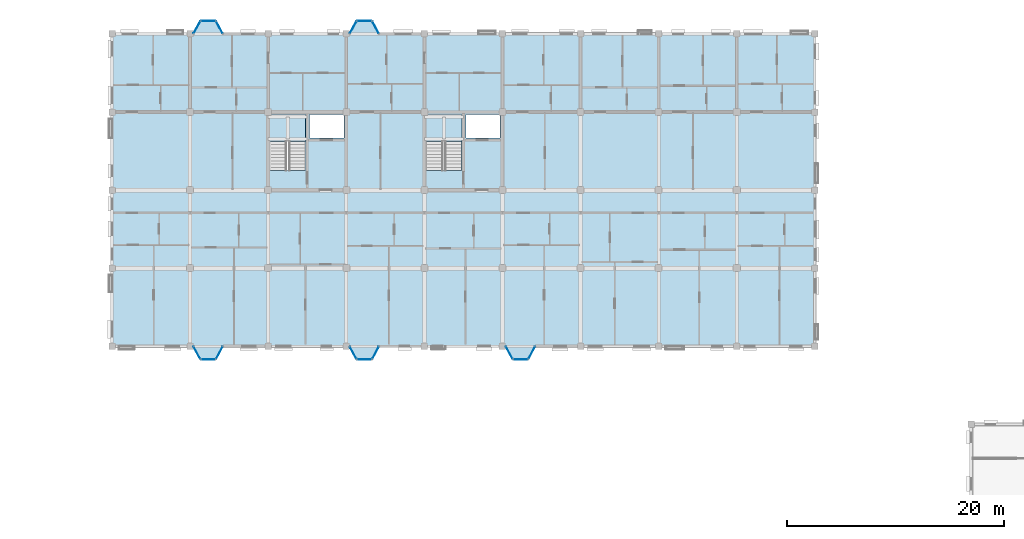
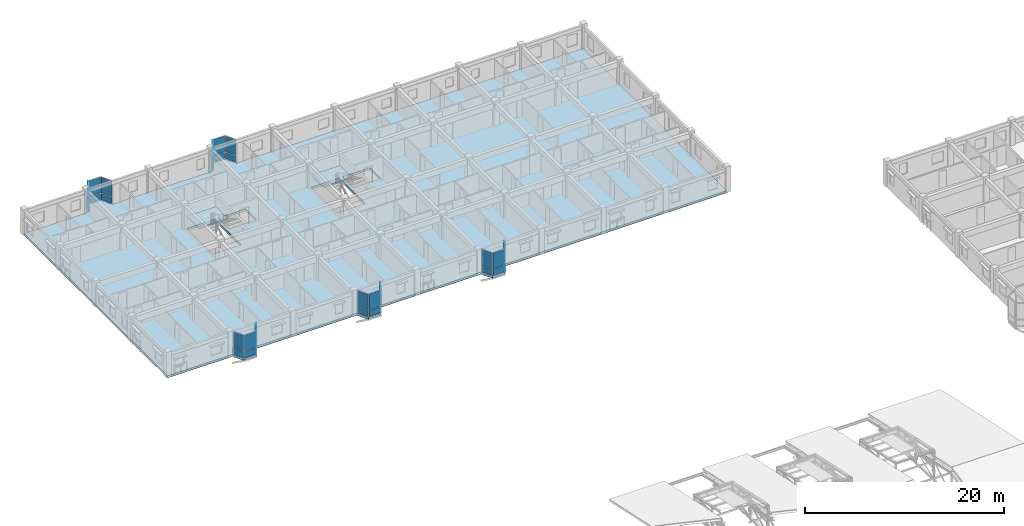
# One storey, part 83 of 124: 30 plates, 3 slabs, 17 elements without a shape of their own.
"""IFC4 building model written with IfcOpenShell, lengths in metres."""

from ifc_helpers import new_model, si_unit, direction, frame, origin, origin_2d, place, context, subcontext, project, spatial, polyline, rectangle, outline, extrude, material, layer, layer_set, type_object, element, aggregate, save


model = new_model("IFC4")

# Units and contexts
model_context = context("Model", 3, precision=1e-05, world=origin(), true_north=direction((0.0, 1.0)))
body_context = subcontext(model_context, "Body", "Model", "MODEL_VIEW")
ifc_project = project(units=[si_unit("LENGTHUNIT", "METRE"), si_unit("AREAUNIT", "SQUARE_METRE"), si_unit("VOLUMEUNIT", "CUBIC_METRE"), si_unit("PLANEANGLEUNIT", "RADIAN"), si_unit("MASSUNIT", "GRAM", prefix="KILO"), si_unit("THERMODYNAMICTEMPERATUREUNIT", "KELVIN"), si_unit("POWERUNIT", "WATT")], contexts=[model_context])

# Site, building, storey
site_placement = place(None, origin())
site = spatial("IfcSite", under=ifc_project, at=site_placement, CompositionType="ELEMENT")
building_placement = place(site_placement, origin())
building = spatial("IfcBuilding", under=site, at=building_placement, Name="Tavuni Mirador Residences", CompositionType="ELEMENT")
storey_placement = place(building_placement, frame((0.0, 0.0, 7.64990234375)))
storey = spatial("IfcBuildingStorey", under=building, at=storey_placement, Name="L02", CompositionType="ELEMENT", Elevation=7.64990234375)

# Curtain wall, plate
ifc_material_1 = material(Name="Anodised aluminium", Category="aluminium")
ifc_layer_1 = layer(ifc_material_1, 0.1650390625, Name="Anodised aluminium", Category="aluminium")
ifc_layer_set_1 = layer_set([ifc_layer_1], Name="Anodised aluminium")
curtain_wall_type_1 = type_object("IfcCurtainWallType", Name="CWT-MIR-A", PredefinedType="NOTDEFINED", material=ifc_layer_set_1)
curtain_wall_1_placement = place(storey_placement, origin())
curtain_wall_1 = element("IfcCurtainWall", 1, at=curtain_wall_1_placement, inside=storey, type_object=curtain_wall_type_1, Name="CW-MIR-C-S1-L02-M1", PredefinedType="NOTDEFINED")
ifc_material_2 = material(Name="Laminated solar-control glass", Category="glass")
ifc_layer_2 = layer(ifc_material_2, 0.02392578125, Name="Laminated solar-control glass", Category="glass")
ifc_layer_set_2 = layer_set([ifc_layer_2], Name="Laminated solar-control glass")
plate_type_1 = type_object("IfcPlateType", Name="CWP-GL24", PredefinedType="CURTAIN_PANEL", material=ifc_layer_set_2)
plate_1_placement = place(storey_placement, frame((18.6298828125, 143.39990234375, 0.8798828125), z_axis=(0.0, 0.0, 1.0), x_axis=(0.481918749773, -0.876215908676, 0.0)))
plate_1 = element("IfcPlate", 2, at=plate_1_placement, type_object=plate_type_1, Name="CW-01 panel 1.2", PredefinedType="CURTAIN_PANEL", context=body_context, shape_type="SweptSolid", body=[
    extrude(rectangle(XDim=1.24951171875, YDim=0.02392578125, at=origin_2d()), origin(), (0.0, 0.0, 1.0), 1.945068359375),
])

curtain_wall_2_placement = place(storey_placement, origin())
curtain_wall_2 = element("IfcCurtainWall", 3, at=curtain_wall_2_placement, inside=storey, type_object=curtain_wall_type_1, Name="CW-MIR-C-S2-L02-MF", PredefinedType="NOTDEFINED")
plate_2_placement = place(storey_placement, frame((34.070068359375, 142.800048828125, 0.8798828125), z_axis=(0.0, 0.0, 1.0), x_axis=(1.0, 0.0, 0.0)))
plate_2 = element("IfcPlate", 4, at=plate_2_placement, type_object=plate_type_1, Name="CW-01 panel 1.2", PredefinedType="CURTAIN_PANEL", context=body_context, shape_type="SweptSolid", body=[
    extrude(rectangle(XDim=1.300048828125, YDim=0.02392578125, at=origin_2d()), origin(), (0.0, 0.0, 1.0), 1.945068359375),
])

curtain_wall_3_placement = place(storey_placement, origin())
curtain_wall_3 = element("IfcCurtainWall", 5, at=curtain_wall_3_placement, inside=storey, type_object=curtain_wall_type_1, Name="CW-MIR-C-S3-L02-M2", PredefinedType="NOTDEFINED")
plate_3_placement = place(storey_placement, frame((49.5, 143.39990234375, 0.8798828125), z_axis=(0.0, 0.0, 1.0), x_axis=(0.470588235296, 0.882352941175, 0.0)))
plate_3 = element("IfcPlate", 6, at=plate_3_placement, type_object=plate_type_1, Name="CW-01 panel 1.2", PredefinedType="CURTAIN_PANEL", context=body_context, shape_type="SweptSolid", body=[
    extrude(rectangle(XDim=1.239990234375, YDim=0.02392578125, at=origin_2d()), origin(), (0.0, 0.0, 1.0), 1.945068359375),
])

curtain_wall_4_placement = place(storey_placement, origin())
curtain_wall_4 = element("IfcCurtainWall", 7, at=curtain_wall_4_placement, inside=storey, type_object=curtain_wall_type_1, Name="CW-MIR-C-N1-L02-M1", PredefinedType="NOTDEFINED")
plate_4_placement = place(storey_placement, frame((20.699951171875, 173.39990234375, 0.8798828125), z_axis=(0.0, 0.0, 1.0), x_axis=(-0.470588235296, 0.882352941175, 0.0)))
plate_4 = element("IfcPlate", 8, at=plate_4_placement, type_object=plate_type_1, Name="CW-01 panel 1.2", PredefinedType="CURTAIN_PANEL", context=body_context, shape_type="SweptSolid", body=[
    extrude(rectangle(XDim=1.239990234375, YDim=0.02392578125, at=origin_2d()), origin(), (0.0, 0.0, 1.0), 1.945068359375),
])

ifc_layer_3 = layer(ifc_material_1, 0.14990234375, Name="Anodised aluminium", Category="aluminium")
ifc_layer_set_3 = layer_set([ifc_layer_3], Name="Anodised aluminium")
curtain_wall_type_2 = type_object("IfcCurtainWallType", Name="CWT-MIR-B", PredefinedType="NOTDEFINED", material=ifc_layer_set_3)
curtain_wall_5_placement = place(storey_placement, origin())
curtain_wall_5 = element("IfcCurtainWall", 9, at=curtain_wall_5_placement, inside=storey, type_object=curtain_wall_type_2, Name="CW-MIR-C-S1-L02-MF", PredefinedType="NOTDEFINED")
ifc_layer_4 = layer(ifc_material_2, 0.028076171875, Name="Laminated solar-control glass", Category="glass")
ifc_layer_set_4 = layer_set([ifc_layer_4], Name="Laminated solar-control glass")
plate_type_2 = type_object("IfcPlateType", Name="CWP-GL28", PredefinedType="CURTAIN_PANEL", material=ifc_layer_set_4)
plate_5_placement = place(storey_placement, frame((19.669921875, 142.800048828125, 0.882568359375), z_axis=(0.0, 0.0, 1.0), x_axis=(1.0, 0.0, 0.0)))
plate_5 = element("IfcPlate", 10, at=plate_5_placement, type_object=plate_type_2, Name="CW-02 panel 1.2", PredefinedType="CURTAIN_PANEL", context=body_context, shape_type="SweptSolid", body=[
    extrude(rectangle(XDim=1.2900390625, YDim=0.028076171875, at=origin_2d()), origin(), (0.0, 0.0, 1.0), 1.9375),
])

curtain_wall_6_placement = place(storey_placement, origin())
curtain_wall_6 = element("IfcCurtainWall", 11, at=curtain_wall_6_placement, inside=storey, type_object=curtain_wall_type_2, Name="CW-MIR-C-S2-L02-M2", PredefinedType="NOTDEFINED")
plate_6_placement = place(storey_placement, frame((35.10009765625, 143.39990234375, 0.882568359375), z_axis=(0.0, 0.0, 1.0), x_axis=(0.470588235296, 0.882352941175, 0.0)))
plate_6 = element("IfcPlate", 12, at=plate_6_placement, type_object=plate_type_2, Name="CW-02 panel 1.2", PredefinedType="CURTAIN_PANEL", context=body_context, shape_type="SweptSolid", body=[
    extrude(rectangle(XDim=1.22998046875, YDim=0.028076171875, at=origin_2d()), origin(), (0.0, 0.0, 1.0), 1.9375),
])

curtain_wall_7_placement = place(storey_placement, origin())
curtain_wall_7 = element("IfcCurtainWall", 13, at=curtain_wall_7_placement, inside=storey, type_object=curtain_wall_type_2, Name="CW-MIR-C-N2-L02-M1", PredefinedType="NOTDEFINED")
plate_7_placement = place(storey_placement, frame((35.10009765625, 173.39990234375, 0.882568359375), z_axis=(0.0, 0.0, 1.0), x_axis=(-0.470588235296, 0.882352941175, 0.0)))
plate_7 = element("IfcPlate", 14, at=plate_7_placement, type_object=plate_type_2, Name="CW-02 panel 1.2", PredefinedType="CURTAIN_PANEL", context=body_context, shape_type="SweptSolid", body=[
    extrude(rectangle(XDim=1.22998046875, YDim=0.028076171875, at=origin_2d()), origin(), (0.0, 0.0, 1.0), 1.9375),
])

curtain_wall_8_placement = place(storey_placement, origin())
curtain_wall_8 = element("IfcCurtainWall", 15, at=curtain_wall_8_placement, inside=storey, type_object=curtain_wall_type_2, Name="CW-MIR-C-N1-L02-MF", PredefinedType="NOTDEFINED")
plate_8_placement = place(storey_placement, frame((19.669921875, 174.0, 0.882568359375), z_axis=(0.0, 0.0, 1.0), x_axis=(-1.0, 0.0, 0.0)))
plate_8 = element("IfcPlate", 16, at=plate_8_placement, type_object=plate_type_2, Name="CW-02 panel 1.2", PredefinedType="CURTAIN_PANEL", context=body_context, shape_type="SweptSolid", body=[
    extrude(rectangle(XDim=1.2900390625, YDim=0.028076171875, at=origin_2d()), origin(), (0.0, 0.0, 1.0), 1.9375),
])

ifc_layer_5 = layer(ifc_material_1, 0.175048828125, Name="Anodised aluminium", Category="aluminium")
ifc_layer_set_5 = layer_set([ifc_layer_5], Name="Anodised aluminium")
curtain_wall_type_3 = type_object("IfcCurtainWallType", Name="CWT-MIR-C", PredefinedType="NOTDEFINED", material=ifc_layer_set_5)
curtain_wall_9_placement = place(storey_placement, origin())
curtain_wall_9 = element("IfcCurtainWall", 17, at=curtain_wall_9_placement, inside=storey, type_object=curtain_wall_type_3, Name="CW-MIR-C-S1-L02-M2", PredefinedType="NOTDEFINED")
ifc_layer_6 = layer(ifc_material_2, 0.031982421875, Name="Laminated solar-control glass", Category="glass")
ifc_layer_set_6 = layer_set([ifc_layer_6], Name="Laminated solar-control glass")
plate_type_3 = type_object("IfcPlateType", Name="CWP-GL32", PredefinedType="CURTAIN_PANEL", material=ifc_layer_set_6)
plate_9_placement = place(storey_placement, frame((20.699951171875, 143.39990234375, 0.8798828125), z_axis=(0.0, 0.0, 1.0), x_axis=(0.470588235296, 0.882352941175, 0.0)))
plate_9 = element("IfcPlate", 18, at=plate_9_placement, type_object=plate_type_3, Name="CW-03 panel 1.2", PredefinedType="CURTAIN_PANEL", context=body_context, shape_type="SweptSolid", body=[
    extrude(rectangle(XDim=1.239990234375, YDim=0.031982421875, at=origin_2d()), origin(), (0.0, 0.0, 1.0), 1.945068359375),
])

curtain_wall_10_placement = place(storey_placement, origin())
curtain_wall_10 = element("IfcCurtainWall", 19, at=curtain_wall_10_placement, inside=storey, type_object=curtain_wall_type_3, Name="CW-MIR-C-S3-L02-M1", PredefinedType="NOTDEFINED")
plate_10_placement = place(storey_placement, frame((47.429931640625, 143.39990234375, 0.8798828125), z_axis=(0.0, 0.0, 1.0), x_axis=(0.481918749773, -0.876215908676, 0.0)))
plate_10 = element("IfcPlate", 20, at=plate_10_placement, type_object=plate_type_3, Name="CW-03 panel 1.2", PredefinedType="CURTAIN_PANEL", context=body_context, shape_type="SweptSolid", body=[
    extrude(rectangle(XDim=1.24951171875, YDim=0.031982421875, at=origin_2d()), origin(), (0.0, 0.0, 1.0), 1.945068359375),
])

curtain_wall_11_placement = place(storey_placement, origin())
curtain_wall_11 = element("IfcCurtainWall", 21, at=curtain_wall_11_placement, inside=storey, type_object=curtain_wall_type_3, Name="CW-MIR-C-N2-L02-MF", PredefinedType="NOTDEFINED")
plate_11_placement = place(storey_placement, frame((34.070068359375, 174.0, 0.8798828125), z_axis=(0.0, 0.0, 1.0), x_axis=(-1.0, 0.0, 0.0)))
plate_11 = element("IfcPlate", 22, at=plate_11_placement, type_object=plate_type_3, Name="CW-03 panel 1.2", PredefinedType="CURTAIN_PANEL", context=body_context, shape_type="SweptSolid", body=[
    extrude(rectangle(XDim=1.300048828125, YDim=0.031982421875, at=origin_2d()), origin(), (0.0, 0.0, 1.0), 1.945068359375),
])

curtain_wall_12_placement = place(storey_placement, origin())
curtain_wall_12 = element("IfcCurtainWall", 23, at=curtain_wall_12_placement, inside=storey, type_object=curtain_wall_type_3, Name="CW-MIR-C-N1-L02-M2", PredefinedType="NOTDEFINED")
plate_12_placement = place(storey_placement, frame((18.6298828125, 173.39990234375, 0.8798828125), z_axis=(0.0, 0.0, 1.0), x_axis=(-0.481918749773, -0.876215908676, 0.0)))
plate_12 = element("IfcPlate", 24, at=plate_12_placement, type_object=plate_type_3, Name="CW-03 panel 1.2", PredefinedType="CURTAIN_PANEL", context=body_context, shape_type="SweptSolid", body=[
    extrude(rectangle(XDim=1.24951171875, YDim=0.031982421875, at=origin_2d()), origin(), (0.0, 0.0, 1.0), 1.945068359375),
])

ifc_layer_7 = layer(ifc_material_1, 0.159912109375, Name="Anodised aluminium", Category="aluminium")
ifc_layer_set_7 = layer_set([ifc_layer_7], Name="Anodised aluminium")
curtain_wall_type_4 = type_object("IfcCurtainWallType", Name="CWT-MIR-D", PredefinedType="NOTDEFINED", material=ifc_layer_set_7)
curtain_wall_13_placement = place(storey_placement, origin())
curtain_wall_13 = element("IfcCurtainWall", 25, at=curtain_wall_13_placement, inside=storey, type_object=curtain_wall_type_4, Name="CW-MIR-C-S2-L02-M1", PredefinedType="NOTDEFINED")
ifc_layer_8 = layer(ifc_material_2, 0.035888671875, Name="Laminated solar-control glass", Category="glass")
ifc_layer_set_8 = layer_set([ifc_layer_8], Name="Laminated solar-control glass")
plate_type_4 = type_object("IfcPlateType", Name="CWP-GL36", PredefinedType="CURTAIN_PANEL", material=ifc_layer_set_8)
plate_13_placement = place(storey_placement, frame((33.030029296875, 143.39990234375, 0.882568359375), z_axis=(0.0, 0.0, 1.0), x_axis=(0.481918749773, -0.876215908676, 0.0)))
plate_13 = element("IfcPlate", 26, at=plate_13_placement, type_object=plate_type_4, Name="CW-04 panel 1.2", PredefinedType="CURTAIN_PANEL", context=body_context, shape_type="SweptSolid", body=[
    extrude(rectangle(XDim=1.239501953125, YDim=0.035888671875, at=origin_2d()), origin(), (0.0, 0.0, 1.0), 1.9375),
])

curtain_wall_14_placement = place(storey_placement, origin())
curtain_wall_14 = element("IfcCurtainWall", 27, at=curtain_wall_14_placement, inside=storey, type_object=curtain_wall_type_4, Name="CW-MIR-C-S3-L02-MF", PredefinedType="NOTDEFINED")
plate_14_placement = place(storey_placement, frame((48.469970703125, 142.800048828125, 0.882568359375), z_axis=(0.0, 0.0, 1.0), x_axis=(1.0, 0.0, 0.0)))
plate_14 = element("IfcPlate", 28, at=plate_14_placement, type_object=plate_type_4, Name="CW-04 panel 1.2", PredefinedType="CURTAIN_PANEL", context=body_context, shape_type="SweptSolid", body=[
    extrude(rectangle(XDim=1.2900390625, YDim=0.035888671875, at=origin_2d()), origin(), (0.0, 0.0, 1.0), 1.9375),
])

curtain_wall_15_placement = place(storey_placement, origin())
curtain_wall_15 = element("IfcCurtainWall", 29, at=curtain_wall_15_placement, inside=storey, type_object=curtain_wall_type_4, Name="CW-MIR-C-N2-L02-M2", PredefinedType="NOTDEFINED")
plate_15_placement = place(storey_placement, frame((33.030029296875, 173.39990234375, 0.882568359375), z_axis=(0.0, 0.0, 1.0), x_axis=(-0.481918749773, -0.876215908676, 0.0)))
plate_15 = element("IfcPlate", 30, at=plate_15_placement, type_object=plate_type_4, Name="CW-04 panel 1.2", PredefinedType="CURTAIN_PANEL", context=body_context, shape_type="SweptSolid", body=[
    extrude(rectangle(XDim=1.239501953125, YDim=0.035888671875, at=origin_2d()), origin(), (0.0, 0.0, 1.0), 1.9375),
])

# Plate
ifc_material_3 = material(Name="Ceramic trencadis mosaic panel", Category="masonry")
ifc_layer_9 = layer(ifc_material_3, 0.0419921875, Name="Ceramic trencadis mosaic panel", Category="masonry")
ifc_layer_set_9 = layer_set([ifc_layer_9], Name="Ceramic trencadis mosaic panel")
plate_type_5 = type_object("IfcPlateType", Name="CWP-SP42", PredefinedType="CURTAIN_PANEL", material=ifc_layer_set_9)
plate_16_placement = place(storey_placement, frame((18.6298828125, 143.39990234375, 0.06005859375), z_axis=(0.0, 0.0, 1.0), x_axis=(0.481918749773, -0.876215908676, 0.0)))
plate_16 = element("IfcPlate", 31, at=plate_16_placement, type_object=plate_type_5, Name="CW-01 panel 1.1", PredefinedType="CURTAIN_PANEL", context=body_context, shape_type="SweptSolid", body=[
    extrude(rectangle(XDim=1.24951171875, YDim=0.0419921875, at=origin_2d()), origin(), (0.0, 0.0, 1.0), 0.760009765625),
])

aggregate(curtain_wall_1, [plate_16, plate_1])

plate_17_placement = place(storey_placement, frame((20.699951171875, 143.39990234375, 0.06005859375), z_axis=(0.0, 0.0, 1.0), x_axis=(0.470588235296, 0.882352941175, 0.0)))
plate_17 = element("IfcPlate", 32, at=plate_17_placement, type_object=plate_type_5, Name="CW-03 panel 1.1", PredefinedType="CURTAIN_PANEL", context=body_context, shape_type="SweptSolid", body=[
    extrude(rectangle(XDim=1.239990234375, YDim=0.0419921875, at=origin_2d()), origin(), (0.0, 0.0, 1.0), 0.760009765625),
])

aggregate(curtain_wall_9, [plate_17, plate_9])

plate_18_placement = place(storey_placement, frame((34.070068359375, 142.800048828125, 0.06005859375), z_axis=(0.0, 0.0, 1.0), x_axis=(1.0, 0.0, 0.0)))
plate_18 = element("IfcPlate", 33, at=plate_18_placement, type_object=plate_type_5, Name="CW-01 panel 1.1", PredefinedType="CURTAIN_PANEL", context=body_context, shape_type="SweptSolid", body=[
    extrude(rectangle(XDim=1.300048828125, YDim=0.0419921875, at=origin_2d()), origin(), (0.0, 0.0, 1.0), 0.760009765625),
])

aggregate(curtain_wall_2, [plate_18, plate_2])

plate_19_placement = place(storey_placement, frame((47.429931640625, 143.39990234375, 0.06005859375), z_axis=(0.0, 0.0, 1.0), x_axis=(0.481918749773, -0.876215908676, 0.0)))
plate_19 = element("IfcPlate", 34, at=plate_19_placement, type_object=plate_type_5, Name="CW-03 panel 1.1", PredefinedType="CURTAIN_PANEL", context=body_context, shape_type="SweptSolid", body=[
    extrude(rectangle(XDim=1.24951171875, YDim=0.0419921875, at=origin_2d()), origin(), (0.0, 0.0, 1.0), 0.760009765625),
])

aggregate(curtain_wall_10, [plate_19, plate_10])

plate_20_placement = place(storey_placement, frame((49.5, 143.39990234375, 0.06005859375), z_axis=(0.0, 0.0, 1.0), x_axis=(0.470588235296, 0.882352941175, 0.0)))
plate_20 = element("IfcPlate", 35, at=plate_20_placement, type_object=plate_type_5, Name="CW-01 panel 1.1", PredefinedType="CURTAIN_PANEL", context=body_context, shape_type="SweptSolid", body=[
    extrude(rectangle(XDim=1.239990234375, YDim=0.0419921875, at=origin_2d()), origin(), (0.0, 0.0, 1.0), 0.760009765625),
])

aggregate(curtain_wall_3, [plate_20, plate_3])

plate_21_placement = place(storey_placement, frame((34.070068359375, 174.0, 0.06005859375), z_axis=(0.0, 0.0, 1.0), x_axis=(-1.0, 0.0, 0.0)))
plate_21 = element("IfcPlate", 36, at=plate_21_placement, type_object=plate_type_5, Name="CW-03 panel 1.1", PredefinedType="CURTAIN_PANEL", context=body_context, shape_type="SweptSolid", body=[
    extrude(rectangle(XDim=1.300048828125, YDim=0.0419921875, at=origin_2d()), origin(), (0.0, 0.0, 1.0), 0.760009765625),
])

aggregate(curtain_wall_11, [plate_21, plate_11])

plate_22_placement = place(storey_placement, frame((20.699951171875, 173.39990234375, 0.06005859375), z_axis=(0.0, 0.0, 1.0), x_axis=(-0.470588235296, 0.882352941175, 0.0)))
plate_22 = element("IfcPlate", 37, at=plate_22_placement, type_object=plate_type_5, Name="CW-01 panel 1.1", PredefinedType="CURTAIN_PANEL", context=body_context, shape_type="SweptSolid", body=[
    extrude(rectangle(XDim=1.239990234375, YDim=0.0419921875, at=origin_2d()), origin(), (0.0, 0.0, 1.0), 0.760009765625),
])

aggregate(curtain_wall_4, [plate_22, plate_4])

plate_23_placement = place(storey_placement, frame((18.6298828125, 173.39990234375, 0.06005859375), z_axis=(0.0, 0.0, 1.0), x_axis=(-0.481918749773, -0.876215908676, 0.0)))
plate_23 = element("IfcPlate", 38, at=plate_23_placement, type_object=plate_type_5, Name="CW-03 panel 1.1", PredefinedType="CURTAIN_PANEL", context=body_context, shape_type="SweptSolid", body=[
    extrude(rectangle(XDim=1.24951171875, YDim=0.0419921875, at=origin_2d()), origin(), (0.0, 0.0, 1.0), 0.760009765625),
])

aggregate(curtain_wall_12, [plate_23, plate_12])

ifc_layer_10 = layer(ifc_material_3, 0.048095703125, Name="Ceramic trencadis mosaic panel", Category="masonry")
ifc_layer_set_10 = layer_set([ifc_layer_10], Name="Ceramic trencadis mosaic panel")
plate_type_6 = type_object("IfcPlateType", Name="CWP-SP48", PredefinedType="CURTAIN_PANEL", material=ifc_layer_set_10)
plate_24_placement = place(storey_placement, frame((19.669921875, 142.800048828125, 0.065185546875), z_axis=(0.0, 0.0, 1.0), x_axis=(1.0, 0.0, 0.0)))
plate_24 = element("IfcPlate", 39, at=plate_24_placement, type_object=plate_type_6, Name="CW-02 panel 1.1", PredefinedType="CURTAIN_PANEL", context=body_context, shape_type="SweptSolid", body=[
    extrude(rectangle(XDim=1.2900390625, YDim=0.048095703125, at=origin_2d()), origin(), (0.0, 0.0, 1.0), 0.75244140625),
])

aggregate(curtain_wall_5, [plate_24, plate_5])

plate_25_placement = place(storey_placement, frame((33.030029296875, 143.39990234375, 0.065185546875), z_axis=(0.0, 0.0, 1.0), x_axis=(0.481918749773, -0.876215908676, 0.0)))
plate_25 = element("IfcPlate", 40, at=plate_25_placement, type_object=plate_type_6, Name="CW-04 panel 1.1", PredefinedType="CURTAIN_PANEL", context=body_context, shape_type="SweptSolid", body=[
    extrude(rectangle(XDim=1.239501953125, YDim=0.048095703125, at=origin_2d()), origin(), (0.0, 0.0, 1.0), 0.75244140625),
])

aggregate(curtain_wall_13, [plate_25, plate_13])

plate_26_placement = place(storey_placement, frame((35.10009765625, 143.39990234375, 0.065185546875), z_axis=(0.0, 0.0, 1.0), x_axis=(0.470588235296, 0.882352941175, 0.0)))
plate_26 = element("IfcPlate", 41, at=plate_26_placement, type_object=plate_type_6, Name="CW-02 panel 1.1", PredefinedType="CURTAIN_PANEL", context=body_context, shape_type="SweptSolid", body=[
    extrude(rectangle(XDim=1.22998046875, YDim=0.048095703125, at=origin_2d()), origin(), (0.0, 0.0, 1.0), 0.75244140625),
])

aggregate(curtain_wall_6, [plate_26, plate_6])

plate_27_placement = place(storey_placement, frame((48.469970703125, 142.800048828125, 0.065185546875), z_axis=(0.0, 0.0, 1.0), x_axis=(1.0, 0.0, 0.0)))
plate_27 = element("IfcPlate", 42, at=plate_27_placement, type_object=plate_type_6, Name="CW-04 panel 1.1", PredefinedType="CURTAIN_PANEL", context=body_context, shape_type="SweptSolid", body=[
    extrude(rectangle(XDim=1.2900390625, YDim=0.048095703125, at=origin_2d()), origin(), (0.0, 0.0, 1.0), 0.75244140625),
])

aggregate(curtain_wall_14, [plate_27, plate_14])

plate_28_placement = place(storey_placement, frame((35.10009765625, 173.39990234375, 0.065185546875), z_axis=(0.0, 0.0, 1.0), x_axis=(-0.470588235296, 0.882352941175, 0.0)))
plate_28 = element("IfcPlate", 43, at=plate_28_placement, type_object=plate_type_6, Name="CW-02 panel 1.1", PredefinedType="CURTAIN_PANEL", context=body_context, shape_type="SweptSolid", body=[
    extrude(rectangle(XDim=1.22998046875, YDim=0.048095703125, at=origin_2d()), origin(), (0.0, 0.0, 1.0), 0.75244140625),
])

aggregate(curtain_wall_7, [plate_28, plate_7])

plate_29_placement = place(storey_placement, frame((33.030029296875, 173.39990234375, 0.065185546875), z_axis=(0.0, 0.0, 1.0), x_axis=(-0.481918749773, -0.876215908676, 0.0)))
plate_29 = element("IfcPlate", 44, at=plate_29_placement, type_object=plate_type_6, Name="CW-04 panel 1.1", PredefinedType="CURTAIN_PANEL", context=body_context, shape_type="SweptSolid", body=[
    extrude(rectangle(XDim=1.239501953125, YDim=0.048095703125, at=origin_2d()), origin(), (0.0, 0.0, 1.0), 0.75244140625),
])

aggregate(curtain_wall_15, [plate_29, plate_15])

plate_30_placement = place(storey_placement, frame((19.669921875, 174.0, 0.065185546875), z_axis=(0.0, 0.0, 1.0), x_axis=(-1.0, 0.0, 0.0)))
plate_30 = element("IfcPlate", 45, at=plate_30_placement, type_object=plate_type_6, Name="CW-02 panel 1.1", PredefinedType="CURTAIN_PANEL", context=body_context, shape_type="SweptSolid", body=[
    extrude(rectangle(XDim=1.2900390625, YDim=0.048095703125, at=origin_2d()), origin(), (0.0, 0.0, 1.0), 0.75244140625),
])

aggregate(curtain_wall_8, [plate_30, plate_8])

# Slab
ifc_material_4 = material(Name="Prestressed concrete C45/55", Category="concrete")
ifc_layer_11 = layer(ifc_material_4, 0.264892578125, Name="Prestressed concrete C45/55", Category="concrete")
ifc_layer_set_11 = layer_set([ifc_layer_11], Name="Prestressed concrete C45/55")
slab_type_1 = type_object("IfcSlabType", Name="SLT-FLR265", PredefinedType="FLOOR", material=ifc_layer_set_11)
slab_1_placement = place(storey_placement, frame((0.0, 0.0, -0.264892578125)))
element("IfcSlab", 46, at=slab_1_placement, inside=storey, type_object=slab_type_1, Name="SLB-BLK-C-L02", PredefinedType="FLOOR", context=body_context, shape_type="SweptSolid", body=[
    extrude(outline(polyline([(10.800048828125, 144.0), (18.300048828125, 144.0), (18.9599609375, 142.800048828125), (20.3798828125, 142.800048828125), (21.02001953125, 144.0), (32.699951171875, 144.0), (33.360107421875, 142.800048828125), (34.780029296875, 142.800048828125), (35.419921875, 144.0), (47.10009765625, 144.0), (47.760009765625, 142.800048828125), (49.179931640625, 142.800048828125), (49.820068359375, 144.0), (75.60009765625, 144.0), (75.60009765625, 172.800048828125), (35.419921875, 172.800048828125), (34.780029296875, 174.0), (33.360107421875, 174.0), (32.699951171875, 172.800048828125), (21.02001953125, 172.800048828125), (20.3798828125, 174.0), (18.9599609375, 174.0), (18.300048828125, 172.800048828125), (10.800048828125, 172.800048828125), (10.800048828125, 144.0)]), holes=[polyline([(25.360107421875, 160.2080078125), (28.639892578125, 160.2080078125), (28.639892578125, 165.360107421875), (25.360107421875, 165.360107421875), (25.360107421875, 160.2080078125)]), polyline([(29.02001953125, 163.219970703125), (32.179931640625, 163.219970703125), (32.179931640625, 165.3798828125), (29.02001953125, 165.3798828125), (29.02001953125, 163.219970703125)]), polyline([(39.760009765625, 160.2080078125), (43.0400390625, 160.2080078125), (43.0400390625, 165.360107421875), (39.760009765625, 165.360107421875), (39.760009765625, 160.2080078125)]), polyline([(43.419921875, 163.219970703125), (46.580078125, 163.219970703125), (46.580078125, 165.3798828125), (43.419921875, 165.3798828125), (43.419921875, 163.219970703125)])]), origin(), (0.0, 0.0, 1.0), 0.264892578125),
])

# Stair, slab
ifc_material_5 = material(Name="Precast concrete C40/50", Category="concrete")
stair_type = type_object("IfcStairType", Name="STT-TYP", PredefinedType="HALF_TURN_STAIR", material=ifc_material_5)
stair_1_placement = place(storey_placement, origin())
stair_1 = element("IfcStair", 47, at=stair_1_placement, inside=storey, type_object=stair_type, Name="Protected exit stair ST5 (L02)", PredefinedType="HALF_TURN_STAIR")
ifc_layer_12 = layer(ifc_material_5, 0.179931640625, Name="Precast concrete C40/50", Category="concrete")
ifc_layer_set_12 = layer_set([ifc_layer_12], Name="Precast concrete C40/50")
slab_type_2 = type_object("IfcSlabType", Name="SLT-LND180", PredefinedType="LANDING", material=ifc_layer_set_12)
slab_2_placement = place(storey_placement, frame((0.0, 0.0, 1.39501953125)))
slab_2 = element("IfcSlab", 48, at=slab_2_placement, type_object=slab_type_2, Name="ST5 landing 1", PredefinedType="LANDING", context=body_context, shape_type="SweptSolid", body=[
    extrude(outline(polyline([(25.340087890625, 162.89208984375), (28.659912109375, 162.89208984375), (28.659912109375, 165.300048828125), (25.340087890625, 165.300048828125), (25.340087890625, 162.89208984375)])), origin(), (0.0, 0.0, 1.0), 0.18017578125),
])
aggregate(stair_1, [slab_2])

stair_2_placement = place(storey_placement, origin())
stair_2 = element("IfcStair", 49, at=stair_2_placement, inside=storey, type_object=stair_type, Name="Protected exit stair ST6 (L02)", PredefinedType="HALF_TURN_STAIR")
slab_3_placement = place(storey_placement, frame((0.0, 0.0, 1.39501953125)))
slab_3 = element("IfcSlab", 50, at=slab_3_placement, type_object=slab_type_2, Name="ST6 landing 1", PredefinedType="LANDING", context=body_context, shape_type="SweptSolid", body=[
    extrude(outline(polyline([(39.739990234375, 162.89208984375), (43.06005859375, 162.89208984375), (43.06005859375, 165.300048828125), (39.739990234375, 165.300048828125), (39.739990234375, 162.89208984375)])), origin(), (0.0, 0.0, 1.0), 0.18017578125),
])
aggregate(stair_2, [slab_3])

save(model, "model.ifc")
